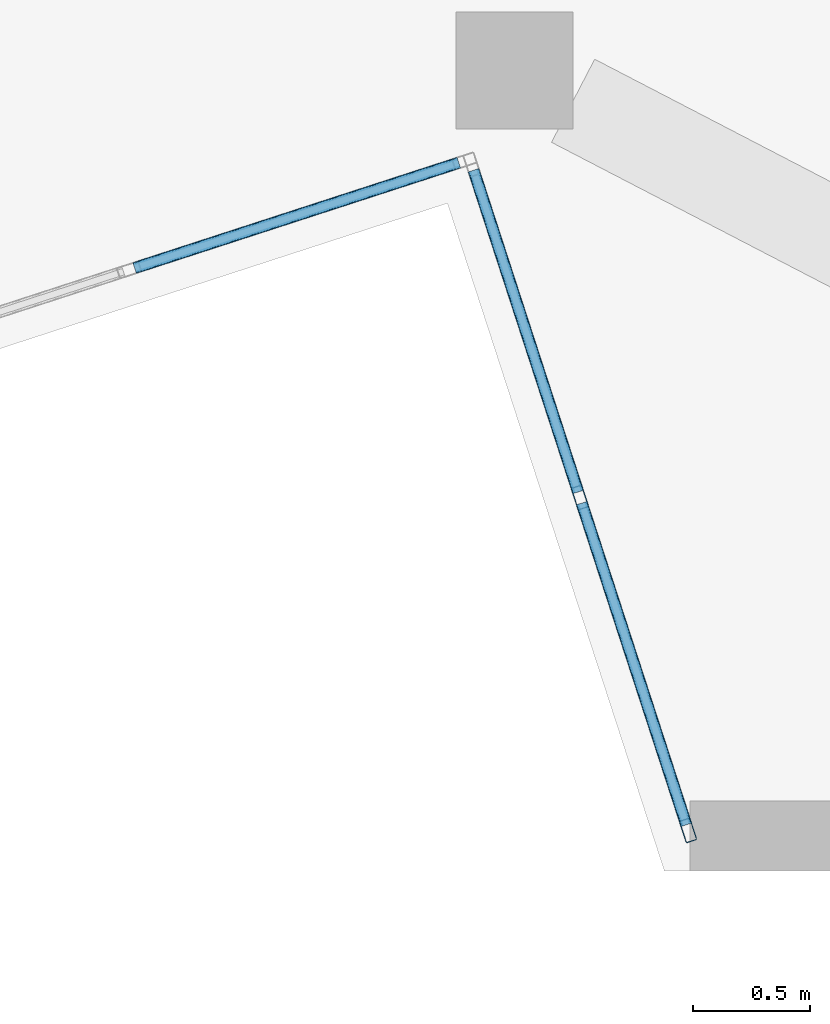
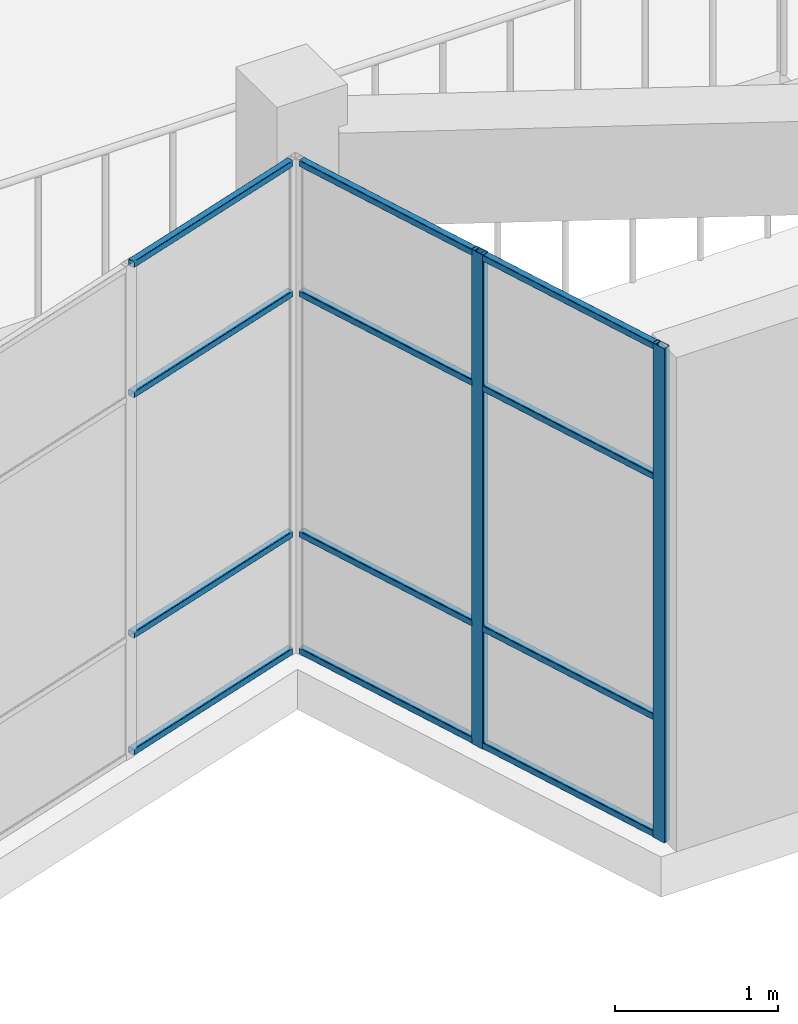
# One storey, part 7 of 66: 14 members, 2 elements without a shape of their own.
"""IFC4 building model written with IfcOpenShell, lengths in metres."""

from ifc_helpers import new_model, si_unit, direction, frame, origin, origin_2d, place, context, subcontext, project, spatial, hollow_rectangle, extrude, material, layer, layer_set, material_profile, profile_set, type_object, element, aggregate, save


model = new_model("IFC4")

# Units and contexts
model_context = context("Model", 3, precision=1e-05, world=origin(), true_north=direction((0.0, 1.0)))
body_context = subcontext(model_context, "Body", "Model", "MODEL_VIEW")
ifc_project = project(units=[si_unit("LENGTHUNIT", "METRE"), si_unit("AREAUNIT", "SQUARE_METRE"), si_unit("VOLUMEUNIT", "CUBIC_METRE"), si_unit("PLANEANGLEUNIT", "RADIAN"), si_unit("MASSUNIT", "GRAM", prefix="KILO")], contexts=[model_context])

# Site, building, storey
site_placement = place(None, origin())
site = spatial("IfcSite", under=ifc_project, at=site_placement, CompositionType="ELEMENT")
building_placement = place(site_placement, origin())
building = spatial("IfcBuilding", under=site, at=building_placement, Name="Tuart Plaza Theatre", CompositionType="ELEMENT")
storey_placement = place(building_placement, frame((0.0, 0.0, 5.5)))
storey = spatial("IfcBuildingStorey", under=building, at=storey_placement, Name="L01", CompositionType="ELEMENT", Elevation=5.5)

# Curtain wall, members
ifc_material_1 = material(Name="Aluminium and glass", Category="aluminium")
ifc_layer = layer(ifc_material_1, 0.10009765625)
ifc_layer_set = layer_set([ifc_layer], Name="CURTAIN WALL 1500 module")
curtain_wall_type = type_object("IfcCurtainWallType", Name="CURTAIN WALL 1500 module", PredefinedType="NOTDEFINED", material=ifc_layer_set)
curtain_wall_1_placement = place(storey_placement, origin())
curtain_wall_1 = element("IfcCurtainWall", 1, at=curtain_wall_1_placement, inside=storey, type_object=curtain_wall_type, Name="CW17", PredefinedType="NOTDEFINED")
ifc_material_2 = material(Name="Aluminium 6063-T5", Category="aluminium")
ifc_material_profile_1 = material_profile(ifc_material_2, hollow_rectangle(XDim=0.050048828125, YDim=0.10009765625, WallThickness=0.00390625, InnerFilletRadius=0.00390625, OuterFilletRadius=0.008056640625, at=origin_2d()), Name="RHS 100x50x4")
ifc_profile_set_1 = profile_set([ifc_material_profile_1], Name="Aluminium 6063-T5")
member_type_1 = type_object("IfcMemberType", Name="MULLION RHS 100x50x4", PredefinedType="MULLION", material=ifc_profile_set_1)
member_1_placement = place(storey_placement, frame((94.759033203125, 42.925048828125, 0.0), z_axis=(0.0, 0.0, 1.0), x_axis=(0.951056113949, 0.309018232665, 0.0)))
member_1 = element("IfcMember", 2, at=member_1_placement, type_object=member_type_1, Name="CW17 mullion 2", PredefinedType="MULLION", context=body_context, shape_type="SweptSolid", body=[
    extrude(hollow_rectangle(XDim=0.050048828125, YDim=0.10009765625, WallThickness=0.00390625, InnerFilletRadius=0.00390625, OuterFilletRadius=0.008056640625, at=origin_2d()), origin(), (0.0, 0.0, 1.0), 3.699951171875),
])
member_2_placement = place(storey_placement, frame((95.22119140625, 41.502685546875, 0.0), z_axis=(0.0, 0.0, 1.0), x_axis=(0.951056113949, 0.309018232665, 0.0)))
member_2 = element("IfcMember", 3, at=member_2_placement, type_object=member_type_1, Name="CW17 mullion 3", PredefinedType="MULLION", context=body_context, shape_type="SweptSolid", body=[
    extrude(hollow_rectangle(XDim=0.050048828125, YDim=0.10009765625, WallThickness=0.00390625, InnerFilletRadius=0.00390625, OuterFilletRadius=0.008056640625, at=origin_2d()), origin(), (0.0, 0.0, 1.0), 3.699951171875),
])

curtain_wall_2_placement = place(storey_placement, origin())
curtain_wall_2 = element("IfcCurtainWall", 4, at=curtain_wall_2_placement, inside=storey, type_object=curtain_wall_type, Name="CW16", PredefinedType="NOTDEFINED")
ifc_material_3 = material(Name="Aluminium 6063-T5", Category="aluminium")
ifc_material_profile_2 = material_profile(ifc_material_3, hollow_rectangle(XDim=0.050048828125, YDim=0.050048828125, WallThickness=0.00390625, InnerFilletRadius=0.00390625, OuterFilletRadius=0.008056640625, at=origin_2d()), Name="RHS 50x50x4")
ifc_profile_set_2 = profile_set([ifc_material_profile_2], Name="Aluminium 6063-T5")
member_type_2 = type_object("IfcMemberType", Name="TRANSOM RHS 50x50x4", PredefinedType="USERDEFINED", material=ifc_profile_set_2)
member_3_placement = place(storey_placement, frame((92.8564453125, 43.905517578125, 0.02490234375), z_axis=(0.951085791685, 0.308926879463, 0.0), x_axis=(-0.308926879463, 0.951085791685, 0.0)))
member_3 = element("IfcMember", 5, at=member_3_placement, type_object=member_type_2, Name="CW16 transom 4.1", ObjectType="TRANSOM", PredefinedType="USERDEFINED", context=body_context, shape_type="SweptSolid", body=[
    extrude(hollow_rectangle(XDim=0.050048828125, YDim=0.050048828125, WallThickness=0.00390625, InnerFilletRadius=0.00390625, OuterFilletRadius=0.008056640625, at=origin_2d()), origin(), (0.0, 0.0, 1.0), 1.45654296875),
])
member_4_placement = place(storey_placement, frame((92.8564453125, 43.905517578125, 0.89990234375), z_axis=(0.951085791685, 0.308926879463, 0.0), x_axis=(-0.308926879463, 0.951085791685, 0.0)))
member_4 = element("IfcMember", 6, at=member_4_placement, type_object=member_type_2, Name="CW16 transom 4.2", ObjectType="TRANSOM", PredefinedType="USERDEFINED", context=body_context, shape_type="SweptSolid", body=[
    extrude(hollow_rectangle(XDim=0.050048828125, YDim=0.050048828125, WallThickness=0.00390625, InnerFilletRadius=0.00390625, OuterFilletRadius=0.008056640625, at=origin_2d()), origin(), (0.0, 0.0, 1.0), 1.45654296875),
])
member_5_placement = place(storey_placement, frame((92.8564453125, 43.905517578125, 2.699951171875), z_axis=(0.951085791685, 0.308926879463, 0.0), x_axis=(-0.308926879463, 0.951085791685, 0.0)))
member_5 = element("IfcMember", 7, at=member_5_placement, type_object=member_type_2, Name="CW16 transom 4.3", ObjectType="TRANSOM", PredefinedType="USERDEFINED", context=body_context, shape_type="SweptSolid", body=[
    extrude(hollow_rectangle(XDim=0.050048828125, YDim=0.050048828125, WallThickness=0.00390625, InnerFilletRadius=0.00390625, OuterFilletRadius=0.008056640625, at=origin_2d()), origin(), (0.0, 0.0, 1.0), 1.45654296875),
])
member_6_placement = place(storey_placement, frame((92.8564453125, 43.905517578125, 3.675048828125), z_axis=(0.951085791685, 0.308926879463, 0.0), x_axis=(-0.308926879463, 0.951085791685, 0.0)))
member_6 = element("IfcMember", 8, at=member_6_placement, type_object=member_type_2, Name="CW16 transom 4.4", ObjectType="TRANSOM", PredefinedType="USERDEFINED", context=body_context, shape_type="SweptSolid", body=[
    extrude(hollow_rectangle(XDim=0.050048828125, YDim=0.050048828125, WallThickness=0.00390625, InnerFilletRadius=0.00390625, OuterFilletRadius=0.008056640625, at=origin_2d()), origin(), (0.0, 0.0, 1.0), 1.45654296875),
])
aggregate(curtain_wall_2, [member_3, member_4, member_5, member_6])

# Member
member_7_placement = place(storey_placement, frame((94.3046875, 44.323486328125, 0.02490234375), z_axis=(0.309074615454, -0.951037792142, 0.0), x_axis=(0.951037792142, 0.309074615454, 0.0)))
member_7 = element("IfcMember", 9, at=member_7_placement, type_object=member_type_2, Name="CW17 transom 1.1", ObjectType="TRANSOM", PredefinedType="USERDEFINED", context=body_context, shape_type="SweptSolid", body=[
    extrude(hollow_rectangle(XDim=0.050048828125, YDim=0.050048828125, WallThickness=0.00390625, InnerFilletRadius=0.00390625, OuterFilletRadius=0.008056640625, at=origin_2d()), origin(), (0.0, 0.0, 1.0), 1.445556640625),
])

member_8_placement = place(storey_placement, frame((94.3046875, 44.323486328125, 0.89990234375), z_axis=(0.309074615454, -0.951037792142, 0.0), x_axis=(0.951037792142, 0.309074615454, 0.0)))
member_8 = element("IfcMember", 10, at=member_8_placement, type_object=member_type_2, Name="CW17 transom 1.2", ObjectType="TRANSOM", PredefinedType="USERDEFINED", context=body_context, shape_type="SweptSolid", body=[
    extrude(hollow_rectangle(XDim=0.050048828125, YDim=0.050048828125, WallThickness=0.00390625, InnerFilletRadius=0.00390625, OuterFilletRadius=0.008056640625, at=origin_2d()), origin(), (0.0, 0.0, 1.0), 1.445556640625),
])

member_9_placement = place(storey_placement, frame((94.3046875, 44.323486328125, 2.699951171875), z_axis=(0.309074615454, -0.951037792142, 0.0), x_axis=(0.951037792142, 0.309074615454, 0.0)))
member_9 = element("IfcMember", 11, at=member_9_placement, type_object=member_type_2, Name="CW17 transom 1.3", ObjectType="TRANSOM", PredefinedType="USERDEFINED", context=body_context, shape_type="SweptSolid", body=[
    extrude(hollow_rectangle(XDim=0.050048828125, YDim=0.050048828125, WallThickness=0.00390625, InnerFilletRadius=0.00390625, OuterFilletRadius=0.008056640625, at=origin_2d()), origin(), (0.0, 0.0, 1.0), 1.445556640625),
])

member_10_placement = place(storey_placement, frame((94.3046875, 44.323486328125, 3.675048828125), z_axis=(0.309074615454, -0.951037792142, 0.0), x_axis=(0.951037792142, 0.309074615454, 0.0)))
member_10 = element("IfcMember", 12, at=member_10_placement, type_object=member_type_2, Name="CW17 transom 1.4", ObjectType="TRANSOM", PredefinedType="USERDEFINED", context=body_context, shape_type="SweptSolid", body=[
    extrude(hollow_rectangle(XDim=0.050048828125, YDim=0.050048828125, WallThickness=0.00390625, InnerFilletRadius=0.00390625, OuterFilletRadius=0.008056640625, at=origin_2d()), origin(), (0.0, 0.0, 1.0), 1.445556640625),
])

member_11_placement = place(storey_placement, frame((94.766845703125, 42.901123046875, 0.02490234375), z_axis=(0.309124267762, -0.95102165437, 0.0), x_axis=(0.95102165437, 0.309124267762, 0.0)))
member_11 = element("IfcMember", 13, at=member_11_placement, type_object=member_type_2, Name="CW17 transom 2.1", ObjectType="TRANSOM", PredefinedType="USERDEFINED", context=body_context, shape_type="SweptSolid", body=[
    extrude(hollow_rectangle(XDim=0.050048828125, YDim=0.050048828125, WallThickness=0.00390625, InnerFilletRadius=0.00390625, OuterFilletRadius=0.008056640625, at=origin_2d()), origin(), (0.0, 0.0, 1.0), 1.4453125),
])

member_12_placement = place(storey_placement, frame((94.766845703125, 42.901123046875, 0.89990234375), z_axis=(0.309124267762, -0.95102165437, 0.0), x_axis=(0.95102165437, 0.309124267762, 0.0)))
member_12 = element("IfcMember", 14, at=member_12_placement, type_object=member_type_2, Name="CW17 transom 2.2", ObjectType="TRANSOM", PredefinedType="USERDEFINED", context=body_context, shape_type="SweptSolid", body=[
    extrude(hollow_rectangle(XDim=0.050048828125, YDim=0.050048828125, WallThickness=0.00390625, InnerFilletRadius=0.00390625, OuterFilletRadius=0.008056640625, at=origin_2d()), origin(), (0.0, 0.0, 1.0), 1.4453125),
])

member_13_placement = place(storey_placement, frame((94.766845703125, 42.901123046875, 2.699951171875), z_axis=(0.309124267762, -0.95102165437, 0.0), x_axis=(0.95102165437, 0.309124267762, 0.0)))
member_13 = element("IfcMember", 15, at=member_13_placement, type_object=member_type_2, Name="CW17 transom 2.3", ObjectType="TRANSOM", PredefinedType="USERDEFINED", context=body_context, shape_type="SweptSolid", body=[
    extrude(hollow_rectangle(XDim=0.050048828125, YDim=0.050048828125, WallThickness=0.00390625, InnerFilletRadius=0.00390625, OuterFilletRadius=0.008056640625, at=origin_2d()), origin(), (0.0, 0.0, 1.0), 1.4453125),
])

member_14_placement = place(storey_placement, frame((94.766845703125, 42.901123046875, 3.675048828125), z_axis=(0.309124267762, -0.95102165437, 0.0), x_axis=(0.95102165437, 0.309124267762, 0.0)))
member_14 = element("IfcMember", 16, at=member_14_placement, type_object=member_type_2, Name="CW17 transom 2.4", ObjectType="TRANSOM", PredefinedType="USERDEFINED", context=body_context, shape_type="SweptSolid", body=[
    extrude(hollow_rectangle(XDim=0.050048828125, YDim=0.050048828125, WallThickness=0.00390625, InnerFilletRadius=0.00390625, OuterFilletRadius=0.008056640625, at=origin_2d()), origin(), (0.0, 0.0, 1.0), 1.4453125),
])

aggregate(curtain_wall_1, [member_1, member_2, member_7, member_8, member_9, member_10, member_11, member_12, member_13, member_14])

save(model, "model.ifc")
